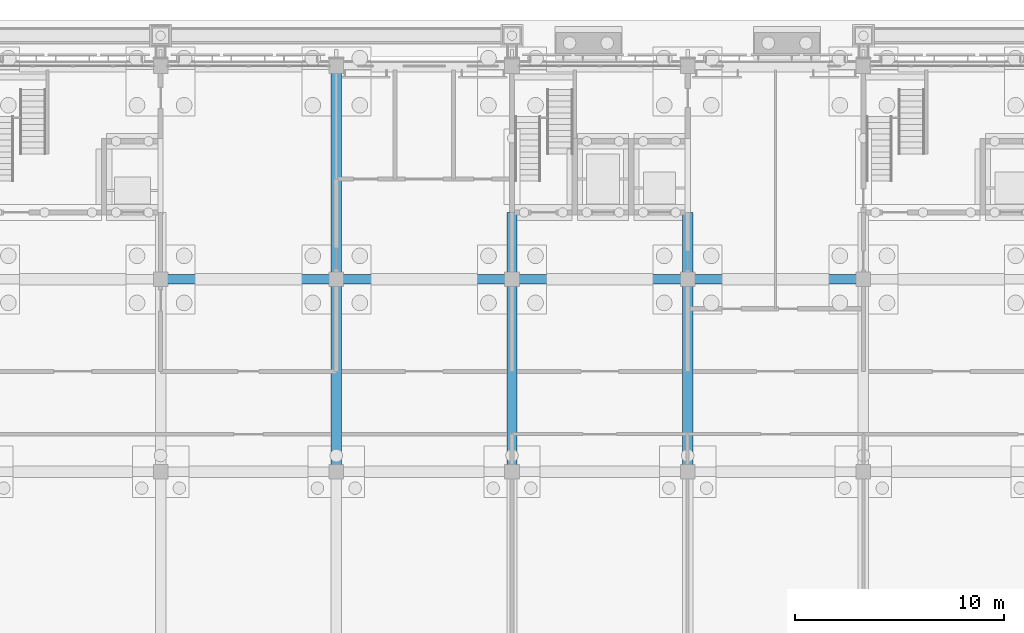
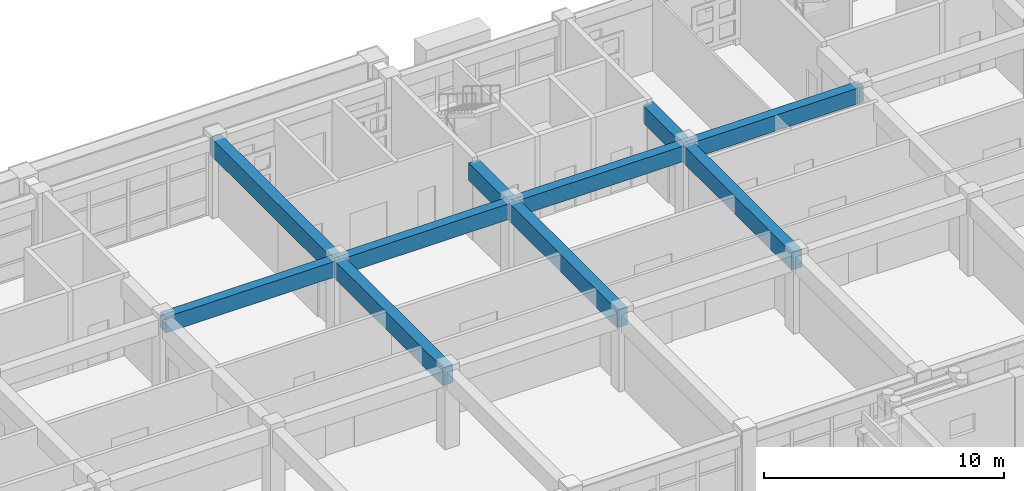
# One storey, part 39 of 112: 10 beams.
"""IFC4 building model written with IfcOpenShell, lengths in metres."""

from ifc_helpers import new_model, si_unit, direction, frame, origin, origin_2d, place, context, subcontext, project, spatial, rectangle, extrude, material, material_profile, profile_set, type_object, element, save


model = new_model("IFC4")

# Units and contexts
model_context = context("Model", 3, precision=1e-05, world=origin(), true_north=direction((0.0, 1.0)))
body_context = subcontext(model_context, "Body", "Model", "MODEL_VIEW")
ifc_project = project(units=[si_unit("LENGTHUNIT", "METRE"), si_unit("AREAUNIT", "SQUARE_METRE"), si_unit("VOLUMEUNIT", "CUBIC_METRE"), si_unit("PLANEANGLEUNIT", "RADIAN"), si_unit("MASSUNIT", "GRAM", prefix="KILO")], contexts=[model_context])

# Site, building, storey
site_placement = place(None, origin())
site = spatial("IfcSite", under=ifc_project, at=site_placement, CompositionType="ELEMENT")
building_placement = place(site_placement, origin())
building = spatial("IfcBuilding", under=site, at=building_placement, Name="Wasatch Bagh Community Centre", CompositionType="ELEMENT")
storey_placement = place(building_placement, origin())
storey = spatial("IfcBuildingStorey", under=building, at=storey_placement, Name="L00", CompositionType="ELEMENT", Elevation=0.0)

# Beams
ifc_material = material(Name="Concrete C35", Category="concrete")
ifc_material_profile_1 = material_profile(ifc_material, rectangle(XDim=0.449951171875, YDim=0.800048828125, at=origin_2d()), Name="RC 450x800")
ifc_profile_set_1 = profile_set([ifc_material_profile_1], Name="Concrete C35")
beam_type_1 = type_object("IfcBeamType", Name="LW RC 450x800", PredefinedType="BEAM", material=ifc_profile_set_1)
beam_1_placement = place(storey_placement, frame((89.199951171875, 87.60009765625, 3.52001953125), z_axis=(1.0, 0.0, 0.0), x_axis=(0.0, 1.0, 0.0)))
element("IfcBeam", 1, at=beam_1_placement, inside=storey, type_object=beam_type_1, Name="W4-W5M", PredefinedType="BEAM", context=body_context, shape_type="SweptSolid", body=[
    extrude(rectangle(XDim=0.449951171875, YDim=0.800048828125, at=origin_2d()), origin(), (0.0, 0.0, 1.0), 8.400146484375),
])
for number, where, z_axis, x_axis, name in (
    (2, (97.60009765625, 87.60009765625, 3.52001953125), (1.0, 0.0, 0.0), (0.0, 1.0, 0.0), "W5-W6M"),
    (3, (106.0, 87.60009765625, 3.52001953125), (1.0, 0.0, 0.0), (0.0, 1.0, 0.0), "W6-W7M"),
):
    element("IfcBeam", number, at=place(storey_placement, frame(where, z_axis=z_axis, x_axis=x_axis)), inside=storey, type_object=beam_type_1, Name=name, PredefinedType="BEAM", context=body_context, shape_type="SweptSolid", body=[
        extrude(rectangle(XDim=0.449951171875, YDim=0.800048828125, at=origin_2d()), origin(), (0.0, 0.0, 1.0), 8.39990234375),
    ])
beam_2_placement = place(storey_placement, frame((114.39990234375, 87.60009765625, 3.52001953125), z_axis=(1.0, 0.0, 0.0), x_axis=(0.0, 1.0, 0.0)))
element("IfcBeam", 4, at=beam_2_placement, inside=storey, type_object=beam_type_1, Name="W7-W8M", PredefinedType="BEAM", context=body_context, shape_type="SweptSolid", body=[
    extrude(rectangle(XDim=0.449951171875, YDim=0.800048828125, at=origin_2d()), origin(), (0.0, 0.0, 1.0), 8.400146484375),
])
ifc_material_profile_2 = material_profile(ifc_material, rectangle(XDim=0.5, YDim=0.89990234375, at=origin_2d()), Name="RC 500x900")
ifc_profile_set_2 = profile_set([ifc_material_profile_2], Name="Concrete C35")
beam_type_2 = type_object("IfcBeamType", Name="LW RC 500x900", PredefinedType="BEAM", material=ifc_profile_set_2)
beam_3_placement = place(storey_placement, frame((97.60009765625, 78.39990234375, 3.469970703125), z_axis=(0.0, 1.0, 0.0), x_axis=(-1.0, 0.0, 0.0)))
element("IfcBeam", 5, at=beam_3_placement, inside=storey, type_object=beam_type_2, Name="W5S-M", PredefinedType="BEAM", context=body_context, shape_type="SweptSolid", body=[
    extrude(rectangle(XDim=0.5, YDim=0.89990234375, at=origin_2d()), origin(), (0.0, 0.0, 1.0), 9.2001953125),
])
beam_4_placement = place(storey_placement, frame((97.60009765625, 87.60009765625, 3.469970703125), z_axis=(0.0, 1.0, 0.0), x_axis=(-1.0, 0.0, 0.0)))
element("IfcBeam", 6, at=beam_4_placement, inside=storey, type_object=beam_type_2, Name="W5M-N", PredefinedType="BEAM", context=body_context, shape_type="SweptSolid", body=[
    extrude(rectangle(XDim=0.5, YDim=0.89990234375, at=origin_2d()), origin(), (0.0, 0.0, 1.0), 10.199951171875),
])
beam_5_placement = place(storey_placement, frame((106.0, 78.39990234375, 3.469970703125), z_axis=(0.0, 1.0, 0.0), x_axis=(-1.0, 0.0, 0.0)))
element("IfcBeam", 7, at=beam_5_placement, inside=storey, type_object=beam_type_2, Name="W6S-M", PredefinedType="BEAM", context=body_context, shape_type="SweptSolid", body=[
    extrude(rectangle(XDim=0.5, YDim=0.89990234375, at=origin_2d()), origin(), (0.0, 0.0, 1.0), 9.2001953125),
])
beam_6_placement = place(storey_placement, frame((106.0, 87.60009765625, 3.469970703125), z_axis=(0.0, 1.0, 0.0), x_axis=(-1.0, 0.0, 0.0)))
element("IfcBeam", 8, at=beam_6_placement, inside=storey, type_object=beam_type_2, Name="W6M-N", PredefinedType="BEAM", context=body_context, shape_type="SweptSolid", body=[
    extrude(rectangle(XDim=0.5, YDim=0.89990234375, at=origin_2d()), origin(), (0.0, 0.0, 1.0), 3.199951171875),
])
beam_7_placement = place(storey_placement, frame((114.39990234375, 78.39990234375, 3.469970703125), z_axis=(0.0, 1.0, 0.0), x_axis=(-1.0, 0.0, 0.0)))
element("IfcBeam", 9, at=beam_7_placement, inside=storey, type_object=beam_type_2, Name="W7S-M", PredefinedType="BEAM", context=body_context, shape_type="SweptSolid", body=[
    extrude(rectangle(XDim=0.5, YDim=0.89990234375, at=origin_2d()), origin(), (0.0, 0.0, 1.0), 9.2001953125),
])
beam_8_placement = place(storey_placement, frame((114.39990234375, 87.60009765625, 3.469970703125), z_axis=(0.0, 1.0, 0.0), x_axis=(-1.0, 0.0, 0.0)))
element("IfcBeam", 10, at=beam_8_placement, inside=storey, type_object=beam_type_2, Name="W7M-N", PredefinedType="BEAM", context=body_context, shape_type="SweptSolid", body=[
    extrude(rectangle(XDim=0.5, YDim=0.89990234375, at=origin_2d()), origin(), (0.0, 0.0, 1.0), 3.199951171875),
])

save(model, "model.ifc")
